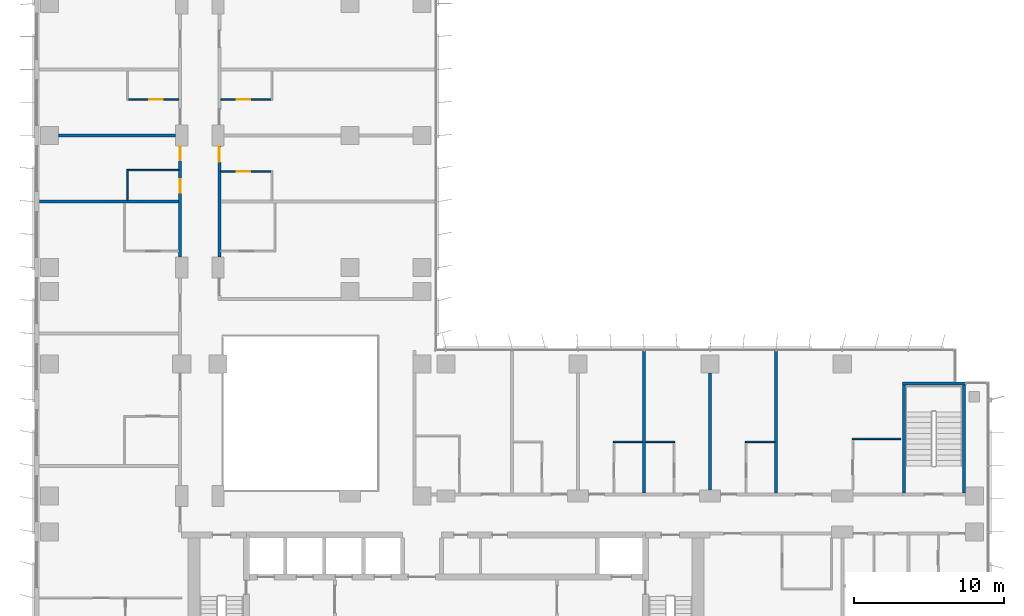
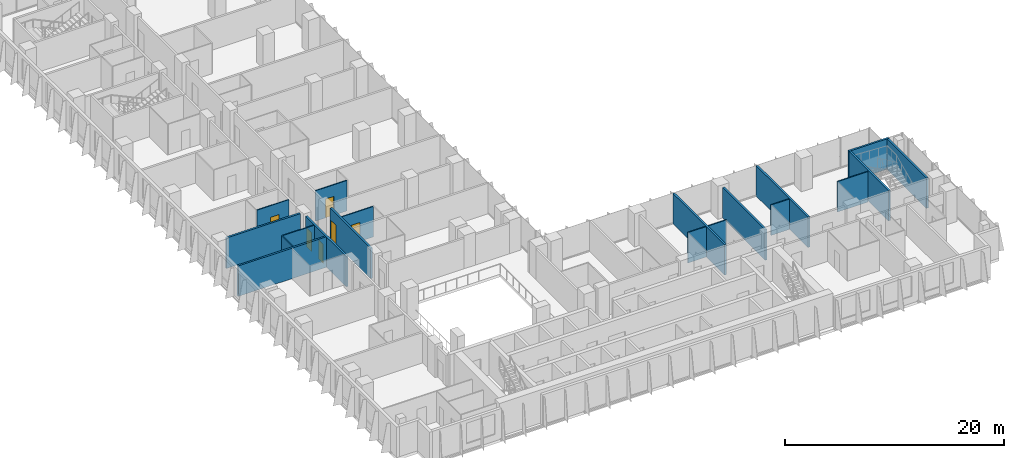
# One storey, part 15 of 23: 19 walls, 6 doors, 6 openings.
"""IFC4 building model written with IfcOpenShell, lengths in metres."""

from ifc_helpers import new_model, si_unit, direction, frame, frame_2d, origin, place, context, subcontext, project, spatial, rectangle, extrude, material, layer, layer_set, type_object, element, fill, save


model = new_model("IFC4")

# Units and contexts
model_context = context("Model", 3, precision=1e-05, world=origin(), true_north=direction((0.0, 1.0)))
body_context = subcontext(model_context, "Body", "Model", "MODEL_VIEW")
ifc_project = project(units=[si_unit("LENGTHUNIT", "METRE"), si_unit("AREAUNIT", "SQUARE_METRE"), si_unit("VOLUMEUNIT", "CUBIC_METRE"), si_unit("PLANEANGLEUNIT", "RADIAN"), si_unit("MASSUNIT", "GRAM", prefix="KILO")], contexts=[model_context])

# Site, building, storey
site_placement = place(None, origin())
site = spatial("IfcSite", under=ifc_project, at=site_placement, CompositionType="ELEMENT")
building_placement = place(site_placement, origin())
building = spatial("IfcBuilding", under=site, at=building_placement, Name="Kemantara Hotel Tower", CompositionType="ELEMENT")
storey_placement = place(building_placement, frame((0.0, 0.0, 142.0)))
storey = spatial("IfcBuildingStorey", under=building, at=storey_placement, Name="L34", CompositionType="ELEMENT", Elevation=142.0)

# Wall, openings, doors
ifc_material_1 = material(Name="Gypsum board partition, steel studs and mineral wool, 200 mm", Category="steel")
ifc_layer_1 = layer(ifc_material_1, 0.199951171875)
ifc_layer_set_1 = layer_set([ifc_layer_1], Name="Gypsum board partition, steel studs and mineral wool, 200 mm")
wall_type_1 = type_object("IfcWallType", Name="CORRIDOR WALL 200", PredefinedType="PARTITIONING", material=ifc_layer_set_1)
wall_1_placement = place(storey_placement, frame((9.699951171875, 28.10009765625, 0.0), z_axis=(0.0, 0.0, 1.0), x_axis=(0.0, 1.0, 0.0)))
wall_1 = element("IfcWall", 1, at=wall_1_placement, inside=storey, type_object=wall_type_1, Name="CORRIDOR WALL 200 020", PredefinedType="PARTITIONING", context=body_context, shape_type="SweptSolid", body=[
    extrude(rectangle(XDim=7.39990234375, YDim=0.199951171875, at=frame_2d((3.699951171875, 0.0))), origin(), (0.0, 0.0, 1.0), 3.39990234375),
])
opening_1_placement = place(wall_1_placement, frame((6.449951171875, 0.0, 0.0)))
opening_1 = element("IfcOpeningElement", 2, at=opening_1_placement, cuts=wall_1, Name="Opening F15-027", PredefinedType="OPENING", context=body_context, shape_type="SweptSolid", body=[
    extrude(rectangle(XDim=0.89990234375, YDim=2.10009765625, at=frame_2d((0.449951171875, 1.050048828125))), frame((0.0, 0.10986328125, 0.0), z_axis=(0.0, -1.0, 0.0), x_axis=(1.0, 0.0, 0.0)), (0.0, 0.0, 1.0), 0.219970703125),
])
opening_2_placement = place(wall_1_placement, frame((4.2998046875, 0.0, 0.0)))
opening_2 = element("IfcOpeningElement", 3, at=opening_2_placement, cuts=wall_1, Name="Opening F15-028", PredefinedType="OPENING", context=body_context, shape_type="SweptSolid", body=[
    extrude(rectangle(XDim=0.89990234375, YDim=2.10009765625, at=frame_2d((0.449951171875, 1.050048828125))), frame((0.0, 0.10986328125, 0.0), z_axis=(0.0, -1.0, 0.0), x_axis=(1.0, 0.0, 0.0)), (0.0, 0.0, 1.0), 0.219970703125),
])
ifc_material_2 = material(Name="Steel door leaf with steel frame", Category="steel")
door_type_1 = type_object("IfcDoorType", Name="SERVICE ROOM DOOR 900 X 2100 FD60", OperationType="NOTDEFINED", PredefinedType="DOOR", material=ifc_material_2)
door_1_placement = place(opening_1_placement, origin())
door_1 = element("IfcDoor", 4, at=door_1_placement, inside=storey, type_object=door_type_1, Name="SERVICE ROOM DOOR F15-027", OperationType="SINGLE_SWING_RIGHT", OverallHeight=2.10009765625, OverallWidth=0.89990234375, PredefinedType="DOOR", context=body_context, shape_type="SweptSolid", body=[
    extrude(rectangle(XDim=0.89990234375, YDim=2.10009765625, at=frame_2d((0.449951171875, 1.050048828125))), frame((0.0, 0.02490234375, 0.0), z_axis=(0.0, -1.0, 0.0), x_axis=(1.0, 0.0, 0.0)), (0.0, 0.0, 1.0), 0.050048828125),
])
fill(opening_1, door_1)
door_2_placement = place(opening_2_placement, origin())
door_2 = element("IfcDoor", 5, at=door_2_placement, inside=storey, type_object=door_type_1, Name="SERVICE ROOM DOOR F15-028", OperationType="SINGLE_SWING_LEFT", OverallHeight=2.10009765625, OverallWidth=0.89990234375, PredefinedType="DOOR", context=body_context, shape_type="SweptSolid", body=[
    extrude(rectangle(XDim=0.89990234375, YDim=2.10009765625, at=frame_2d((0.449951171875, 1.050048828125))), frame((0.0, 0.02490234375, 0.0), z_axis=(0.0, -1.0, 0.0), x_axis=(1.0, 0.0, 0.0)), (0.0, 0.0, 1.0), 0.050048828125),
])
fill(opening_2, door_2)

# Wall, opening, door
wall_2_placement = place(storey_placement, frame((12.300048828125, 35.5, 0.0), z_axis=(0.0, 0.0, 1.0), x_axis=(0.0, -1.0, 0.0)))
wall_2 = element("IfcWall", 6, at=wall_2_placement, inside=storey, type_object=wall_type_1, Name="CORRIDOR WALL 200 040", PredefinedType="PARTITIONING", context=body_context, shape_type="SweptSolid", body=[
    extrude(rectangle(XDim=7.39990234375, YDim=0.199951171875, at=frame_2d((3.699951171875, 0.0))), origin(), (0.0, 0.0, 1.0), 3.39990234375),
])
opening_3_placement = place(wall_2_placement, frame((0.0498046875, 0.0, 0.0)))
opening_3 = element("IfcOpeningElement", 7, at=opening_3_placement, cuts=wall_2, Name="Opening F15-043", PredefinedType="OPENING", context=body_context, shape_type="SweptSolid", body=[
    extrude(rectangle(XDim=1.0, YDim=2.10009765625, at=frame_2d((0.5, 1.050048828125))), frame((0.0, 0.10986328125, 0.0), z_axis=(0.0, -1.0, 0.0), x_axis=(1.0, 0.0, 0.0)), (0.0, 0.0, 1.0), 0.219970703125),
])
ifc_material_3 = material(Name="Hardwood veneer door leaf with steel frame", Category="steel")
door_type_2 = type_object("IfcDoorType", Name="GUEST ROOM DOOR 1000 X 2100 FD30S", OperationType="NOTDEFINED", PredefinedType="DOOR", material=ifc_material_3)
door_3_placement = place(opening_3_placement, origin())
door_3 = element("IfcDoor", 8, at=door_3_placement, inside=storey, type_object=door_type_2, Name="GUEST ROOM DOOR F15-043", OperationType="SINGLE_SWING_LEFT", OverallHeight=2.10009765625, OverallWidth=1.0, PredefinedType="DOOR", context=body_context, shape_type="SweptSolid", body=[
    extrude(rectangle(XDim=1.0, YDim=2.10009765625, at=frame_2d((0.5, 1.050048828125))), frame((0.0, 0.02490234375, 0.0), z_axis=(0.0, -1.0, 0.0), x_axis=(1.0, 0.0, 0.0)), (0.0, 0.0, 1.0), 0.050048828125),
])
fill(opening_3, door_3)

# Walls
ifc_material_4 = material(Name="Concrete fc 40 MPa", Category="concrete")
ifc_layer_2 = layer(ifc_material_4, 0.199951171875)
ifc_layer_set_2 = layer_set([ifc_layer_2], Name="Concrete fc 40 MPa")
wall_type_2 = type_object("IfcWallType", Name="Concrete stair wall 200 mm", PredefinedType="SHEAR", material=ifc_layer_set_2)
wall_3_placement = place(storey_placement, frame((57.800048828125, 19.699951171875, 0.0), z_axis=(0.0, 0.0, 1.0), x_axis=(1.0, 0.0, 0.0)))
element("IfcWall", 9, at=wall_3_placement, inside=storey, type_object=wall_type_2, Name="Stair ST3 enclosure wall N", PredefinedType="SHEAR", context=body_context, shape_type="SweptSolid", body=[
    extrude(rectangle(XDim=4.199951171875, YDim=0.199951171875, at=frame_2d((2.10009765625, 0.0))), origin(), (0.0, 0.0, 1.0), 3.39990234375),
])
for number, where, z_axis, x_axis, name in (
    (10, (57.89990234375, 12.39990234375, 0.0), (0.0, 0.0, 1.0), (0.0, 1.0, 0.0), "Stair ST3 enclosure wall W"),
    (11, (61.89990234375, 12.39990234375, 0.0), (0.0, 0.0, 1.0), (0.0, 1.0, 0.0), "Stair ST3 enclosure wall E"),
):
    element("IfcWall", number, at=place(storey_placement, frame(where, z_axis=z_axis, x_axis=x_axis)), inside=storey, type_object=wall_type_2, Name=name, PredefinedType="SHEAR", context=body_context, shape_type="SweptSolid", body=[
        extrude(rectangle(XDim=7.2001953125, YDim=0.199951171875, at=frame_2d((3.60009765625, 0.0))), origin(), (0.0, 0.0, 1.0), 3.39990234375),
    ])
ifc_layer_3 = layer(ifc_material_1, 0.199951171875)
ifc_layer_set_3 = layer_set([ifc_layer_3], Name="Gypsum board partition, steel studs and mineral wool, 200 mm")
wall_type_3 = type_object("IfcWallType", Name="GUEST ROOM PARTY WALL 200", PredefinedType="PARTITIONING", material=ifc_layer_set_3)
wall_4_placement = place(storey_placement, frame((40.60009765625, 12.39990234375, 0.0), z_axis=(0.0, 0.0, 1.0), x_axis=(0.0, 1.0, 0.0)))
element("IfcWall", 12, at=wall_4_placement, inside=storey, type_object=wall_type_3, Name="GUEST ROOM PARTY WALL 200 014", PredefinedType="PARTITIONING", context=body_context, shape_type="SweptSolid", body=[
    extrude(rectangle(XDim=9.47021484375, YDim=0.199951171875, at=frame_2d((4.735107421875, 0.0))), origin(), (0.0, 0.0, 1.0), 3.39990234375),
])
wall_5_placement = place(storey_placement, frame((45.0, 12.60009765625, 0.0), z_axis=(0.0, 0.0, 1.0), x_axis=(0.0, 1.0, 0.0)))
element("IfcWall", 13, at=wall_5_placement, inside=storey, type_object=wall_type_3, Name="GUEST ROOM PARTY WALL 200 015", PredefinedType="PARTITIONING", context=body_context, shape_type="SweptSolid", body=[
    extrude(rectangle(XDim=7.7998046875, YDim=0.199951171875, at=frame_2d((3.89990234375, 0.0))), origin(), (0.0, 0.0, 1.0), 3.39990234375),
])
wall_6_placement = place(storey_placement, frame((49.39990234375, 12.39990234375, 0.0), z_axis=(0.0, 0.0, 1.0), x_axis=(0.0, 1.0, 0.0)))
element("IfcWall", 14, at=wall_6_placement, inside=storey, type_object=wall_type_3, Name="GUEST ROOM PARTY WALL 200 016", PredefinedType="PARTITIONING", context=body_context, shape_type="SweptSolid", body=[
    extrude(rectangle(XDim=9.47021484375, YDim=0.199951171875, at=frame_2d((4.735107421875, 0.0))), origin(), (0.0, 0.0, 1.0), 3.39990234375),
])
wall_7_placement = place(storey_placement, frame((0.31005859375, 31.800048828125, 0.0), z_axis=(0.0, 0.0, 1.0), x_axis=(1.0, 0.0, 0.0)))
element("IfcWall", 15, at=wall_7_placement, inside=storey, type_object=wall_type_3, Name="GUEST ROOM PARTY WALL 200 028", PredefinedType="PARTITIONING", context=body_context, shape_type="SweptSolid", body=[
    extrude(rectangle(XDim=9.2900390625, YDim=0.199951171875, at=frame_2d((4.64501953125, 0.0))), origin(), (0.0, 0.0, 1.0), 3.39990234375),
])
wall_8_placement = place(storey_placement, frame((1.60009765625, 36.199951171875, 0.0), z_axis=(0.0, 0.0, 1.0), x_axis=(1.0, 0.0, 0.0)))
element("IfcWall", 16, at=wall_8_placement, inside=storey, type_object=wall_type_3, Name="GUEST ROOM PARTY WALL 200 030", PredefinedType="PARTITIONING", context=body_context, shape_type="SweptSolid", body=[
    extrude(rectangle(XDim=7.7998046875, YDim=0.199951171875, at=frame_2d((3.89990234375, 0.0))), origin(), (0.0, 0.0, 1.0), 3.39990234375),
])
ifc_material_5 = material(Name="Gypsum board partition on steel studs, 100 mm", Category="steel")
ifc_layer_4 = layer(ifc_material_5, 0.10009765625)
ifc_layer_set_4 = layer_set([ifc_layer_4], Name="Gypsum board partition on steel studs, 100 mm")
wall_type_4 = type_object("IfcWallType", Name="ROOM PARTITION 100", PredefinedType="PARTITIONING", material=ifc_layer_set_4)
for number, where, z_axis, x_axis, name in (
    (17, (38.550048828125, 15.800048828125, 0.0), (0.0, 0.0, 1.0), (1.0, 0.0, 0.0), "ROOM PARTITION 100 061"),
    (18, (40.699951171875, 15.800048828125, 0.0), (0.0, 0.0, 1.0), (1.0, 0.0, 0.0), "ROOM PARTITION 100 062"),
    (19, (47.35009765625, 15.800048828125, 0.0), (0.0, 0.0, 1.0), (1.0, 0.0, 0.0), "ROOM PARTITION 100 063"),
):
    element("IfcWall", number, at=place(storey_placement, frame(where, z_axis=z_axis, x_axis=x_axis)), inside=storey, type_object=wall_type_4, Name=name, PredefinedType="PARTITIONING", context=body_context, shape_type="SweptSolid", body=[
        extrude(rectangle(XDim=1.949951171875, YDim=0.10009765625, at=frame_2d((0.97509765625, 0.0))), origin(), (0.0, 0.0, 1.0), 3.39990234375),
    ])
wall_9_placement = place(storey_placement, frame((54.449951171875, 16.0, 0.0), z_axis=(0.0, 0.0, 1.0), x_axis=(1.0, 0.0, 0.0)))
element("IfcWall", 20, at=wall_9_placement, inside=storey, type_object=wall_type_4, Name="ROOM PARTITION 100 068", PredefinedType="PARTITIONING", context=body_context, shape_type="SweptSolid", body=[
    extrude(rectangle(XDim=3.25, YDim=0.10009765625, at=frame_2d((1.625, 0.0))), origin(), (0.0, 0.0, 1.0), 3.39990234375),
])
wall_10_placement = place(storey_placement, frame((6.199951171875, 31.89990234375, 0.0), z_axis=(0.0, 0.0, 1.0), x_axis=(0.0, 1.0, 0.0)))
element("IfcWall", 21, at=wall_10_placement, inside=storey, type_object=wall_type_4, Name="ROOM PARTITION 100 082", PredefinedType="PARTITIONING", context=body_context, shape_type="SweptSolid", body=[
    extrude(rectangle(XDim=2.050048828125, YDim=0.10009765625, at=frame_2d((1.02490234375, 0.0))), origin(), (0.0, 0.0, 1.0), 3.39990234375),
])
wall_11_placement = place(storey_placement, frame((6.25, 33.89990234375, 0.0), z_axis=(0.0, 0.0, 1.0), x_axis=(1.0, 0.0, 0.0)))
element("IfcWall", 22, at=wall_11_placement, inside=storey, type_object=wall_type_4, Name="ROOM PARTITION 100 086", PredefinedType="PARTITIONING", context=body_context, shape_type="SweptSolid", body=[
    extrude(rectangle(XDim=3.35009765625, YDim=0.10009765625, at=frame_2d((1.675048828125, 0.0))), origin(), (0.0, 0.0, 1.0), 3.39990234375),
])

# Wall, opening, door
wall_12_placement = place(storey_placement, frame((6.25, 38.60009765625, 0.0), z_axis=(0.0, 0.0, 1.0), x_axis=(1.0, 0.0, 0.0)))
wall_12 = element("IfcWall", 23, at=wall_12_placement, inside=storey, type_object=wall_type_4, Name="ROOM PARTITION 100 087", PredefinedType="PARTITIONING", context=body_context, shape_type="SweptSolid", body=[
    extrude(rectangle(XDim=3.35009765625, YDim=0.10009765625, at=frame_2d((1.675048828125, 0.0))), origin(), (0.0, 0.0, 1.0), 3.39990234375),
])
opening_4_placement = place(wall_12_placement, frame((1.39990234375, 0.0, 0.0)))
opening_4 = element("IfcOpeningElement", 24, at=opening_4_placement, cuts=wall_12, Name="Opening F15-030", PredefinedType="OPENING", context=body_context, shape_type="SweptSolid", body=[
    extrude(rectangle(XDim=0.89990234375, YDim=2.10009765625, at=frame_2d((0.449951171875, 1.050048828125))), frame((0.0, 0.06005859375, 0.0), z_axis=(0.0, -1.0, 0.0), x_axis=(1.0, 0.0, 0.0)), (0.0, 0.0, 1.0), 0.1201171875),
])
door_type_3 = type_object("IfcDoorType", Name="BATHROOM DOOR 900 X 2100", OperationType="NOTDEFINED", PredefinedType="DOOR", material=ifc_material_3)
door_4_placement = place(opening_4_placement, origin())
door_4 = element("IfcDoor", 25, at=door_4_placement, inside=storey, type_object=door_type_3, Name="BATHROOM DOOR F15-030", OperationType="SINGLE_SWING_RIGHT", OverallHeight=2.10009765625, OverallWidth=0.89990234375, PredefinedType="DOOR", context=body_context, shape_type="SweptSolid", body=[
    extrude(rectangle(XDim=0.89990234375, YDim=2.10009765625, at=frame_2d((0.449951171875, 1.050048828125))), frame((0.0, 0.02490234375, 0.0), z_axis=(0.0, -1.0, 0.0), x_axis=(1.0, 0.0, 0.0)), (0.0, 0.0, 1.0), 0.050048828125),
])
fill(opening_4, door_4)

wall_13_placement = place(storey_placement, frame((12.39990234375, 38.60009765625, 0.0), z_axis=(0.0, 0.0, 1.0), x_axis=(1.0, 0.0, 0.0)))
wall_13 = element("IfcWall", 26, at=wall_13_placement, inside=storey, type_object=wall_type_4, Name="ROOM PARTITION 100 088", PredefinedType="PARTITIONING", context=body_context, shape_type="SweptSolid", body=[
    extrude(rectangle(XDim=3.35009765625, YDim=0.10009765625, at=frame_2d((1.675048828125, 0.0))), origin(), (0.0, 0.0, 1.0), 3.39990234375),
])
opening_5_placement = place(wall_13_placement, frame((1.050048828125, 0.0, 0.0)))
opening_5 = element("IfcOpeningElement", 27, at=opening_5_placement, cuts=wall_13, Name="Opening F15-046", PredefinedType="OPENING", context=body_context, shape_type="SweptSolid", body=[
    extrude(rectangle(XDim=0.89990234375, YDim=2.10009765625, at=frame_2d((0.449951171875, 1.050048828125))), frame((0.0, 0.06005859375, 0.0), z_axis=(0.0, -1.0, 0.0), x_axis=(1.0, 0.0, 0.0)), (0.0, 0.0, 1.0), 0.1201171875),
])
door_5_placement = place(opening_5_placement, origin())
door_5 = element("IfcDoor", 28, at=door_5_placement, inside=storey, type_object=door_type_3, Name="BATHROOM DOOR F15-046", OperationType="SINGLE_SWING_LEFT", OverallHeight=2.10009765625, OverallWidth=0.89990234375, PredefinedType="DOOR", context=body_context, shape_type="SweptSolid", body=[
    extrude(rectangle(XDim=0.89990234375, YDim=2.10009765625, at=frame_2d((0.449951171875, 1.050048828125))), frame((0.0, 0.02490234375, 0.0), z_axis=(0.0, -1.0, 0.0), x_axis=(1.0, 0.0, 0.0)), (0.0, 0.0, 1.0), 0.050048828125),
])
fill(opening_5, door_5)

wall_14_placement = place(storey_placement, frame((15.75, 33.800048828125, 0.0), z_axis=(0.0, 0.0, 1.0), x_axis=(-1.0, 0.0, 0.0)))
wall_14 = element("IfcWall", 29, at=wall_14_placement, inside=storey, type_object=wall_type_4, Name="ROOM PARTITION 100 102", PredefinedType="PARTITIONING", context=body_context, shape_type="SweptSolid", body=[
    extrude(rectangle(XDim=3.35009765625, YDim=0.10009765625, at=frame_2d((1.675048828125, 0.0))), origin(), (0.0, 0.0, 1.0), 3.39990234375),
])
opening_6_placement = place(wall_14_placement, frame((1.39990234375, 0.0, 0.0)))
opening_6 = element("IfcOpeningElement", 30, at=opening_6_placement, cuts=wall_14, Name="Opening F15-044", PredefinedType="OPENING", context=body_context, shape_type="SweptSolid", body=[
    extrude(rectangle(XDim=0.89990234375, YDim=2.10009765625, at=frame_2d((0.449951171875, 1.050048828125))), frame((0.0, 0.06005859375, 0.0), z_axis=(0.0, -1.0, 0.0), x_axis=(1.0, 0.0, 0.0)), (0.0, 0.0, 1.0), 0.1201171875),
])
door_6_placement = place(opening_6_placement, origin())
door_6 = element("IfcDoor", 31, at=door_6_placement, inside=storey, type_object=door_type_3, Name="BATHROOM DOOR F15-044", OperationType="SINGLE_SWING_RIGHT", OverallHeight=2.10009765625, OverallWidth=0.89990234375, PredefinedType="DOOR", context=body_context, shape_type="SweptSolid", body=[
    extrude(rectangle(XDim=0.89990234375, YDim=2.10009765625, at=frame_2d((0.449951171875, 1.050048828125))), frame((0.0, 0.02490234375, 0.0), z_axis=(0.0, -1.0, 0.0), x_axis=(1.0, 0.0, 0.0)), (0.0, 0.0, 1.0), 0.050048828125),
])
fill(opening_6, door_6)

save(model, "model.ifc")
